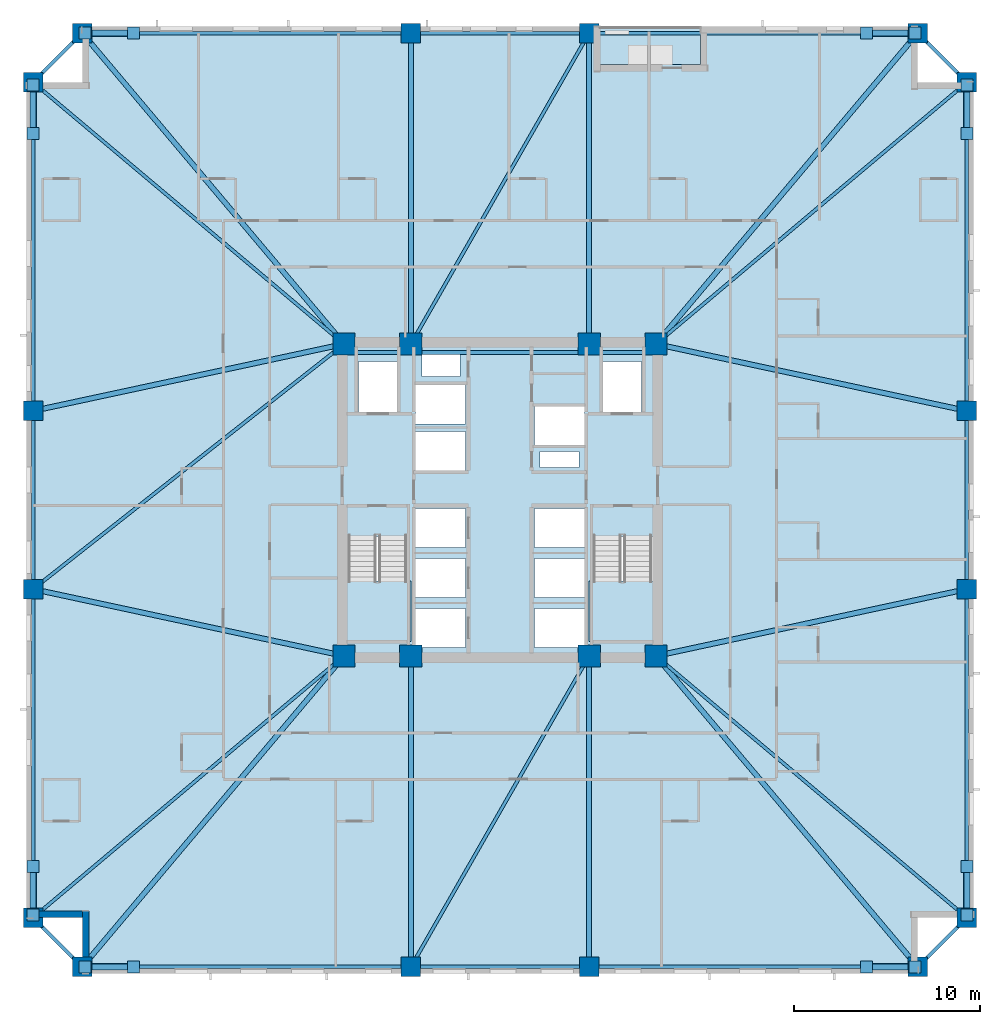
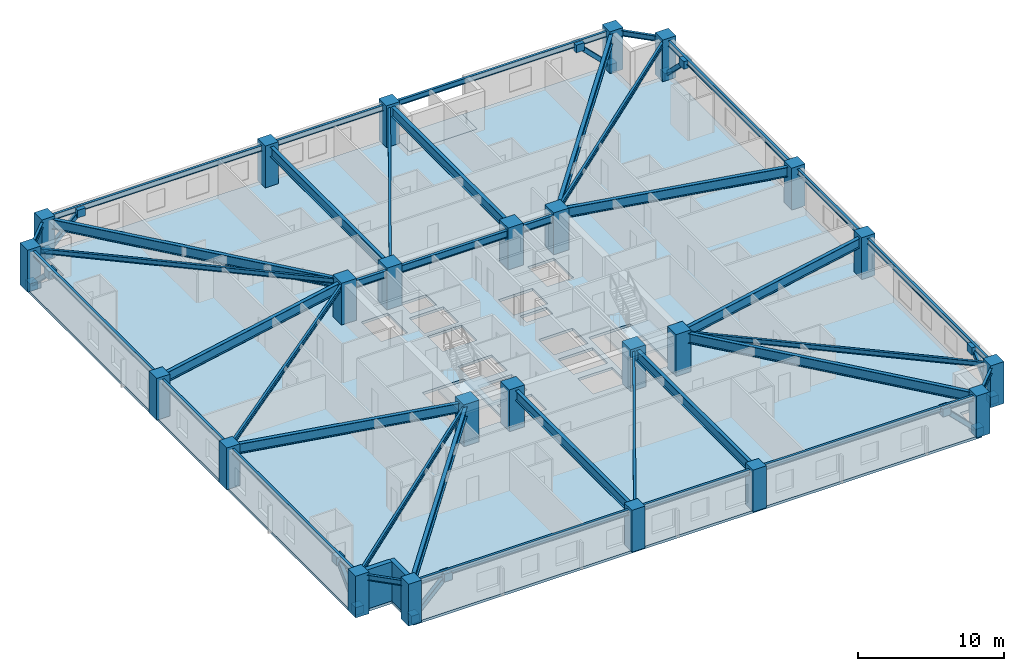
# One storey, part 1 of 11: 38 beams, 24 columns, 16 plates, 8 members, 4 slabs, 2 walls, 2 elements without a shape of their own.
"""IFC4 building model written with IfcOpenShell, lengths in metres."""

from ifc_helpers import new_model, si_unit, direction, frame, frame_2d, origin, origin_2d, place, context, subcontext, project, spatial, polyline, rectangle, hollow_rectangle, i_section, outline, extrude, material, layer, layer_set, material_profile, profile_set, type_object, element, aggregate, save


model = new_model("IFC4")

# Units and contexts
model_context = context("Model", 3, precision=1e-05, world=origin(), true_north=direction((0.0, 1.0)))
body_context = subcontext(model_context, "Body", "Model", "MODEL_VIEW")
ifc_project = project(units=[si_unit("LENGTHUNIT", "METRE"), si_unit("AREAUNIT", "SQUARE_METRE"), si_unit("VOLUMEUNIT", "CUBIC_METRE"), si_unit("PLANEANGLEUNIT", "RADIAN"), si_unit("MASSUNIT", "GRAM", prefix="KILO")], contexts=[model_context])

# Site, building, storey
site_placement = place(None, origin())
site = spatial("IfcSite", under=ifc_project, at=site_placement, CompositionType="ELEMENT")
building_placement = place(site_placement, origin())
building = spatial("IfcBuilding", under=site, at=building_placement, Name="Cairnveth Concourse Tower", CompositionType="ELEMENT")
storey_placement = place(building_placement, frame((0.0, 0.0, 86.5)))
storey = spatial("IfcBuildingStorey", under=building, at=storey_placement, Name="L23", CompositionType="ELEMENT", Elevation=86.5)

# Columns
ifc_material_1 = material(Name="Concrete N80 (80 MPa)", Category="concrete")
ifc_material_profile_1 = material_profile(ifc_material_1, rectangle(XDim=1.199951171875, YDim=1.199951171875, at=origin_2d()), Name="RC-COL-1200x1200")
ifc_profile_set_1 = profile_set([ifc_material_profile_1], Name="Concrete N80 (80 MPa)")
column_type_1 = type_object("IfcColumnType", Name="CORE COLUMN 1200X1200", PredefinedType="COLUMN", material=ifc_profile_set_1)
for number, where, z_axis, x_axis, name in (
    (1, (43.60009765625, 30.60009765625, 0.0), (0.0, 0.0, 1.0), (1.0, 0.0, 0.0), "Column CC1 L23"),
    (2, (47.199951171875, 30.60009765625, 0.0), (0.0, 0.0, 1.0), (1.0, 0.0, 0.0), "Column CC2 L23"),
    (3, (56.800048828125, 30.60009765625, 0.0), (0.0, 0.0, 1.0), (1.0, 0.0, 0.0), "Column CC3 L23"),
    (4, (60.39990234375, 30.60009765625, 0.0), (0.0, 0.0, 1.0), (1.0, 0.0, 0.0), "Column CC4 L23"),
    (5, (43.60009765625, 47.39990234375, 0.0), (0.0, 0.0, 1.0), (1.0, 0.0, 0.0), "Column CC5 L23"),
    (6, (47.199951171875, 47.39990234375, 0.0), (0.0, 0.0, 1.0), (1.0, 0.0, 0.0), "Column CC6 L23"),
    (7, (56.800048828125, 47.39990234375, 0.0), (0.0, 0.0, 1.0), (1.0, 0.0, 0.0), "Column CC7 L23"),
    (8, (60.39990234375, 47.39990234375, 0.0), (0.0, 0.0, 1.0), (1.0, 0.0, 0.0), "Column CC8 L23"),
):
    element("IfcColumn", number, at=place(storey_placement, frame(where, z_axis=z_axis, x_axis=x_axis)), inside=storey, type_object=column_type_1, Name=name, PredefinedType="COLUMN", context=body_context, shape_type="SweptSolid", body=[
        extrude(rectangle(XDim=1.199951171875, YDim=1.199951171875, at=origin_2d()), origin(), (0.0, 0.0, 1.0), 3.5),
    ])
ifc_material_2 = material(Name="Concrete N65 (65 MPa)", Category="concrete")
ifc_material_profile_2 = material_profile(ifc_material_2, rectangle(XDim=1.050048828125, YDim=1.050048828125, at=origin_2d()), Name="RC-COL-1050x1050")
ifc_profile_set_2 = profile_set([ifc_material_profile_2], Name="Concrete N65 (65 MPa)")
column_type_2 = type_object("IfcColumnType", Name="PERIMETER PIER COLUMN 1050X1050", PredefinedType="COLUMN", material=ifc_profile_set_2)
for number, where, z_axis, x_axis, name in (
    (9, (29.5, 13.85009765625, 0.0), (0.0, 0.0, 1.0), (1.0, 0.0, 0.0), "Column P-S1 L23"),
    (10, (47.199951171875, 13.85009765625, 0.0), (0.0, 0.0, 1.0), (1.0, 0.0, 0.0), "Column P-S2 L23"),
    (11, (56.800048828125, 13.85009765625, 0.0), (0.0, 0.0, 1.0), (1.0, 0.0, 0.0), "Column P-S3 L23"),
    (12, (74.5, 13.85009765625, 0.0), (0.0, 0.0, 1.0), (1.0, 0.0, 0.0), "Column P-S4 L23"),
    (13, (77.14990234375, 16.5, 0.0), (0.0, 0.0, 1.0), (0.0, 1.0, 0.0), "Column P-E1 L23"),
    (14, (77.14990234375, 34.199951171875, 0.0), (0.0, 0.0, 1.0), (0.0, 1.0, 0.0), "Column P-E2 L23"),
    (15, (77.14990234375, 43.800048828125, 0.0), (0.0, 0.0, 1.0), (0.0, 1.0, 0.0), "Column P-E3 L23"),
    (16, (77.14990234375, 61.5, 0.0), (0.0, 0.0, 1.0), (0.0, 1.0, 0.0), "Column P-E4 L23"),
    (17, (74.5, 64.14990234375, 0.0), (0.0, 0.0, 1.0), (1.0, 0.0, 0.0), "Column P-N1 L23"),
    (18, (56.800048828125, 64.14990234375, 0.0), (0.0, 0.0, 1.0), (1.0, 0.0, 0.0), "Column P-N2 L23"),
    (19, (47.199951171875, 64.14990234375, 0.0), (0.0, 0.0, 1.0), (1.0, 0.0, 0.0), "Column P-N3 L23"),
    (20, (29.5, 64.14990234375, 0.0), (0.0, 0.0, 1.0), (1.0, 0.0, 0.0), "Column P-N4 L23"),
    (21, (26.85009765625, 61.5, 0.0), (0.0, 0.0, 1.0), (0.0, 1.0, 0.0), "Column P-W1 L23"),
    (22, (26.85009765625, 43.800048828125, 0.0), (0.0, 0.0, 1.0), (0.0, 1.0, 0.0), "Column P-W2 L23"),
    (23, (26.85009765625, 34.199951171875, 0.0), (0.0, 0.0, 1.0), (0.0, 1.0, 0.0), "Column P-W3 L23"),
    (24, (26.85009765625, 16.5, 0.0), (0.0, 0.0, 1.0), (0.0, 1.0, 0.0), "Column P-W4 L23"),
):
    element("IfcColumn", number, at=place(storey_placement, frame(where, z_axis=z_axis, x_axis=x_axis)), inside=storey, type_object=column_type_2, Name=name, PredefinedType="COLUMN", context=body_context, shape_type="SweptSolid", body=[
        extrude(rectangle(XDim=1.050048828125, YDim=1.050048828125, at=origin_2d()), origin(), (0.0, 0.0, 1.0), 3.5),
    ])

# Beams
ifc_material_3 = material(Name="Steel Grade 350", Category="steel")
ifc_material_profile_3 = material_profile(ifc_material_3, i_section(OverallWidth=0.22802734375, OverallDepth=0.60693359375, WebThickness=0.01123046875, FlangeThickness=0.017333984375, FilletRadius=0.013916015625, at=origin_2d()), Name="610UB113")
ifc_profile_set_3 = profile_set([ifc_material_profile_3], Name="Steel Grade 350")
beam_type_1 = type_object("IfcBeamType", Name="CORE TIE BEAM 610UB113", PredefinedType="T_BEAM", material=ifc_profile_set_3)
for number, where, z_axis, x_axis, name in (
    (25, (43.60009765625, 46.949951171875, 2.9765625), (1.0, 0.0, 0.0), (0.0, 1.0, 0.0), "Beam CT-N1 L23"),
    (26, (56.800048828125, 46.949951171875, 2.9765625), (1.0, 0.0, 0.0), (0.0, 1.0, 0.0), "Beam CT-N3 L23"),
):
    element("IfcBeam", number, at=place(storey_placement, frame(where, z_axis=z_axis, x_axis=x_axis)), inside=storey, type_object=beam_type_1, Name=name, PredefinedType="T_BEAM", context=body_context, shape_type="SweptSolid", body=[
        extrude(i_section(OverallWidth=0.22802734375, OverallDepth=0.60693359375, WebThickness=0.01123046875, FlangeThickness=0.017333984375, FilletRadius=0.013916015625, at=origin_2d()), origin(), (0.0, 0.0, 1.0), 3.599853515625),
    ])
beam_1_placement = place(storey_placement, frame((47.199951171875, 46.949951171875, 2.9765625), z_axis=(1.0, 0.0, 0.0), x_axis=(0.0, 1.0, 0.0)))
element("IfcBeam", 27, at=beam_1_placement, inside=storey, type_object=beam_type_1, Name="Beam CT-N2 L23", PredefinedType="T_BEAM", context=body_context, shape_type="SweptSolid", body=[
    extrude(i_section(OverallWidth=0.22802734375, OverallDepth=0.60693359375, WebThickness=0.01123046875, FlangeThickness=0.017333984375, FilletRadius=0.013916015625, at=origin_2d()), origin(), (0.0, 0.0, 1.0), 9.60009765625),
])
ifc_material_profile_4 = material_profile(ifc_material_3, i_section(OverallWidth=0.177978515625, OverallDepth=0.406005859375, WebThickness=0.0078125, FlangeThickness=0.0126953125, FilletRadius=0.010986328125, at=origin_2d()), Name="410UB59.7")
ifc_profile_set_4 = profile_set([ifc_material_profile_4], Name="Steel Grade 350")
beam_type_2 = type_object("IfcBeamType", Name="ZONE 1 FLOOR JOIST 410UB59.7", PredefinedType="JOIST", material=ifc_profile_set_4)
for number, where, z_axis, x_axis, name in (
    (28, (26.85009765625, 16.5, 3.076904296875), (0.765027427674, 0.643997697905, 0.0), (-0.643997697905, 0.765027427674, 0.0), "Beam FJ-CSW2 L23"),
    (29, (77.14990234375, 16.5, 3.076904296875), (-0.765027427674, 0.643997697905, 0.0), (-0.643997697905, -0.765027427674, 0.0), "Beam FJ-CSE2 L23"),
    (30, (77.14990234375, 61.5, 3.076904296875), (-0.765027427674, -0.643997697905, 0.0), (0.643997697905, -0.765027427674, 0.0), "Beam FJ-CNE2 L23"),
    (31, (26.85009765625, 61.5, 3.076904296875), (0.765027427674, -0.643997697905, 0.0), (0.643997697905, 0.765027427674, 0.0), "Beam FJ-CNW2 L23"),
):
    element("IfcBeam", number, at=place(storey_placement, frame(where, z_axis=z_axis, x_axis=x_axis)), inside=storey, type_object=beam_type_2, Name=name, PredefinedType="JOIST", context=body_context, shape_type="SweptSolid", body=[
        extrude(i_section(OverallWidth=0.177978515625, OverallDepth=0.406005859375, WebThickness=0.0078125, FlangeThickness=0.0126953125, FilletRadius=0.010986328125, at=origin_2d()), origin(), (0.0, 0.0, 1.0), 21.89453125),
    ])
for number, where, z_axis, x_axis, name in (
    (32, (47.199951171875, 13.85009765625, 3.076904296875), (0.497257970706, 0.86760273776, 0.0), (-0.86760273776, 0.497257970706, 0.0), "Beam FJ-S-M1 L23"),
    (33, (47.199951171875, 47.39990234375, 3.076904296875), (0.497257970706, 0.86760273776, 0.0), (-0.86760273776, 0.497257970706, 0.0), "Beam FJ-N-M1 L23"),
):
    element("IfcBeam", number, at=place(storey_placement, frame(where, z_axis=z_axis, x_axis=x_axis)), inside=storey, type_object=beam_type_2, Name=name, PredefinedType="JOIST", context=body_context, shape_type="SweptSolid", body=[
        extrude(i_section(OverallWidth=0.177978515625, OverallDepth=0.406005859375, WebThickness=0.0078125, FlangeThickness=0.0126953125, FilletRadius=0.010986328125, at=origin_2d()), origin(), (0.0, 0.0, 1.0), 19.30615234375),
    ])
beam_2_placement = place(storey_placement, frame((26.85009765625, 34.199951171875, 3.076904296875), z_axis=(0.785423705995, 0.618958481694, 0.0), x_axis=(-0.618958481694, 0.785423705995, 0.0)))
element("IfcBeam", 34, at=beam_2_placement, inside=storey, type_object=beam_type_2, Name="Beam FJ-W-M1 L23", PredefinedType="JOIST", context=body_context, shape_type="SweptSolid", body=[
    extrude(i_section(OverallWidth=0.177978515625, OverallDepth=0.406005859375, WebThickness=0.0078125, FlangeThickness=0.0126953125, FilletRadius=0.010986328125, at=origin_2d()), origin(), (0.0, 0.0, 1.0), 21.326171875),
])

# Members
ifc_material_4 = material(Name="Steel C350L0 (350 MPa)", Category="steel")
ifc_material_profile_5 = material_profile(ifc_material_4, hollow_rectangle(XDim=0.35009765625, YDim=0.35009765625, WallThickness=0.01611328125, InnerFilletRadius=0.01611328125, OuterFilletRadius=0.031982421875, at=origin_2d()), Name="350x350x16.0SHS")
ifc_profile_set_5 = profile_set([ifc_material_profile_5], Name="Steel C350L0 (350 MPa)")
member_type = type_object("IfcMemberType", Name="ZONE 1 PIER BRACE 350X350X16SHS", PredefinedType="BRACE", material=ifc_profile_set_5)
for number, where, z_axis, x_axis, name in (
    (35, (29.64990234375, 13.85009765625, 0.25), (0.709834195787, 0.0, 0.704368805735), (0.0, 1.0, 0.0), "Structural Brace PB-S1 L23"),
    (36, (74.35009765625, 13.85009765625, 0.25), (-0.709834195787, 0.0, 0.704368805735), (0.0, -1.0, 0.0), "Structural Brace PB-S2 L23"),
    (37, (29.64990234375, 64.14990234375, 0.25), (0.709834195787, 0.0, 0.704368805735), (0.0, 1.0, 0.0), "Structural Brace PB-N1 L23"),
    (38, (74.35009765625, 64.14990234375, 0.25), (-0.709834195787, 0.0, 0.704368805735), (0.0, -1.0, 0.0), "Structural Brace PB-N2 L23"),
    (39, (26.85009765625, 16.64990234375, 0.25), (0.0, 0.709834195787, 0.704368805735), (-1.0, 0.0, 0.0), "Structural Brace PB-W1 L23"),
    (40, (26.85009765625, 61.35009765625, 0.25), (0.0, -0.709834195787, 0.704368805735), (1.0, 0.0, 0.0), "Structural Brace PB-W2 L23"),
    (41, (77.14990234375, 16.64990234375, 0.25), (0.0, 0.709834195787, 0.704368805735), (-1.0, 0.0, 0.0), "Structural Brace PB-E1 L23"),
    (42, (77.14990234375, 61.35009765625, 0.25), (0.0, -0.709834195787, 0.704368805735), (1.0, 0.0, 0.0), "Structural Brace PB-E2 L23"),
):
    element("IfcMember", number, at=place(storey_placement, frame(where, z_axis=z_axis, x_axis=x_axis)), inside=storey, type_object=member_type, Name=name, PredefinedType="BRACE", context=body_context, shape_type="SweptSolid", body=[
        extrude(hollow_rectangle(XDim=0.35009765625, YDim=0.35009765625, WallThickness=0.01611328125, InnerFilletRadius=0.01611328125, OuterFilletRadius=0.031982421875, at=origin_2d()), origin(), (0.0, 0.0, 1.0), 3.6630859375),
    ])

# Beams
ifc_material_profile_6 = material_profile(ifc_material_3, i_section(OverallWidth=0.27490234375, OverallDepth=0.81591796875, WebThickness=0.011962890625, FlangeThickness=0.028076171875, at=origin_2d()), Name="800WB192")
ifc_profile_set_6 = profile_set([ifc_material_profile_6], Name="Steel Grade 350")
beam_type_3 = type_object("IfcBeamType", Name="ZONE 1 RADIAL GIRDER 800WB192", PredefinedType="BEAM", material=ifc_profile_set_6)
for number, where, z_axis, x_axis, name in (
    (43, (47.199951171875, 13.85009765625, 2.8720703125), (0.0, 1.0, 0.0), (-1.0, 0.0, 0.0), "Beam RG-S1 L23"),
    (44, (56.800048828125, 13.85009765625, 2.8720703125), (0.0, 1.0, 0.0), (-1.0, 0.0, 0.0), "Beam RG-S2 L23"),
    (45, (47.199951171875, 47.39990234375, 2.8720703125), (0.0, 1.0, 0.0), (-1.0, 0.0, 0.0), "Beam RG-N1 L23"),
    (46, (56.800048828125, 47.39990234375, 2.8720703125), (0.0, 1.0, 0.0), (-1.0, 0.0, 0.0), "Beam RG-N2 L23"),
):
    element("IfcBeam", number, at=place(storey_placement, frame(where, z_axis=z_axis, x_axis=x_axis)), inside=storey, type_object=beam_type_3, Name=name, PredefinedType="BEAM", context=body_context, shape_type="SweptSolid", body=[
        extrude(i_section(OverallWidth=0.27490234375, OverallDepth=0.81591796875, WebThickness=0.011962890625, FlangeThickness=0.028076171875, at=origin_2d()), origin(), (0.0, 0.0, 1.0), 16.75),
    ])
for number, where, z_axis, x_axis, name in (
    (47, (26.85009765625, 34.199951171875, 2.8720703125), (0.977675861524, -0.210118799239, 0.0), (0.210118799239, 0.977675861524, 0.0), "Beam RG-W1 L23"),
    (48, (26.85009765625, 43.800048828125, 2.8720703125), (0.977675861524, 0.210118799239, 0.0), (-0.210118799239, 0.977675861524, 0.0), "Beam RG-W2 L23"),
    (49, (60.39990234375, 30.60009765625, 2.8720703125), (0.977675861524, 0.210118799239, 0.0), (-0.210118799239, 0.977675861524, 0.0), "Beam RG-E1 L23"),
    (50, (60.39990234375, 47.39990234375, 2.8720703125), (0.977675861524, -0.210118799239, 0.0), (0.210118799239, 0.977675861524, 0.0), "Beam RG-E2 L23"),
):
    element("IfcBeam", number, at=place(storey_placement, frame(where, z_axis=z_axis, x_axis=x_axis)), inside=storey, type_object=beam_type_3, Name=name, PredefinedType="BEAM", context=body_context, shape_type="SweptSolid", body=[
        extrude(i_section(OverallWidth=0.27490234375, OverallDepth=0.81591796875, WebThickness=0.011962890625, FlangeThickness=0.028076171875, at=origin_2d()), origin(), (0.0, 0.0, 1.0), 17.132568359375),
    ])
for number, where, z_axis, x_axis, name in (
    (51, (29.5, 13.85009765625, 2.8720703125), (0.643997697905, 0.765027427674, 0.0), (-0.765027427674, 0.643997697905, 0.0), "Beam RG-CSW L23"),
    (52, (74.5, 13.85009765625, 2.8720703125), (-0.643997697905, 0.765027427674, 0.0), (-0.765027427674, -0.643997697905, 0.0), "Beam RG-CSE L23"),
    (53, (74.5, 64.14990234375, 2.8720703125), (-0.643997697905, -0.765027427674, 0.0), (0.765027427674, -0.643997697905, 0.0), "Beam RG-CNE L23"),
    (54, (29.5, 64.14990234375, 2.8720703125), (0.643997697905, -0.765027427674, 0.0), (0.765027427674, 0.643997697905, 0.0), "Beam RG-CNW L23"),
):
    element("IfcBeam", number, at=place(storey_placement, frame(where, z_axis=z_axis, x_axis=x_axis)), inside=storey, type_object=beam_type_3, Name=name, PredefinedType="BEAM", context=body_context, shape_type="SweptSolid", body=[
        extrude(i_section(OverallWidth=0.27490234375, OverallDepth=0.81591796875, WebThickness=0.011962890625, FlangeThickness=0.028076171875, at=origin_2d()), origin(), (0.0, 0.0, 1.0), 21.89453125),
    ])
ifc_material_profile_7 = material_profile(ifc_material_3, i_section(OverallWidth=0.19091796875, OverallDepth=0.4599609375, WebThickness=0.010009765625, FlangeThickness=0.01611328125, FilletRadius=0.010986328125, at=origin_2d()), Name="460UB82.1")
ifc_profile_set_7 = profile_set([ifc_material_profile_7], Name="Steel Grade 350")
beam_type_4 = type_object("IfcBeamType", Name="ZONE 1 SPANDREL BEAM 460UB82.1", PredefinedType="SPANDREL", material=ifc_profile_set_7)
beam_3_placement = place(storey_placement, frame((29.5, 13.85009765625, 3.050048828125), z_axis=(1.0, 0.0, 0.0), x_axis=(0.0, 1.0, 0.0)))
element("IfcBeam", 55, at=beam_3_placement, inside=storey, type_object=beam_type_4, Name="Beam SP-S1 L23", PredefinedType="SPANDREL", context=body_context, shape_type="SweptSolid", body=[
    extrude(i_section(OverallWidth=0.19091796875, OverallDepth=0.4599609375, WebThickness=0.010009765625, FlangeThickness=0.01611328125, FilletRadius=0.010986328125, at=origin_2d()), origin(), (0.0, 0.0, 1.0), 17.699951171875),
])
beam_4_placement = place(storey_placement, frame((47.199951171875, 13.85009765625, 3.050048828125), z_axis=(1.0, 0.0, 0.0), x_axis=(0.0, 1.0, 0.0)))
element("IfcBeam", 56, at=beam_4_placement, inside=storey, type_object=beam_type_4, Name="Beam SP-S2 L23", PredefinedType="SPANDREL", context=body_context, shape_type="SweptSolid", body=[
    extrude(i_section(OverallWidth=0.19091796875, OverallDepth=0.4599609375, WebThickness=0.010009765625, FlangeThickness=0.01611328125, FilletRadius=0.010986328125, at=origin_2d()), origin(), (0.0, 0.0, 1.0), 9.60009765625),
])
for number, where, z_axis, x_axis, name in (
    (57, (56.800048828125, 13.85009765625, 3.050048828125), (1.0, 0.0, 0.0), (0.0, 1.0, 0.0), "Beam SP-S3 L23"),
    (58, (29.5, 64.14990234375, 3.050048828125), (1.0, 0.0, 0.0), (0.0, 1.0, 0.0), "Beam SP-N1 L23"),
):
    element("IfcBeam", number, at=place(storey_placement, frame(where, z_axis=z_axis, x_axis=x_axis)), inside=storey, type_object=beam_type_4, Name=name, PredefinedType="SPANDREL", context=body_context, shape_type="SweptSolid", body=[
        extrude(i_section(OverallWidth=0.19091796875, OverallDepth=0.4599609375, WebThickness=0.010009765625, FlangeThickness=0.01611328125, FilletRadius=0.010986328125, at=origin_2d()), origin(), (0.0, 0.0, 1.0), 17.699951171875),
    ])
beam_5_placement = place(storey_placement, frame((47.199951171875, 64.14990234375, 3.050048828125), z_axis=(1.0, 0.0, 0.0), x_axis=(0.0, 1.0, 0.0)))
element("IfcBeam", 59, at=beam_5_placement, inside=storey, type_object=beam_type_4, Name="Beam SP-N2 L23", PredefinedType="SPANDREL", context=body_context, shape_type="SweptSolid", body=[
    extrude(i_section(OverallWidth=0.19091796875, OverallDepth=0.4599609375, WebThickness=0.010009765625, FlangeThickness=0.01611328125, FilletRadius=0.010986328125, at=origin_2d()), origin(), (0.0, 0.0, 1.0), 9.60009765625),
])
for number, where, z_axis, x_axis, name in (
    (60, (56.800048828125, 64.14990234375, 3.050048828125), (1.0, 0.0, 0.0), (0.0, 1.0, 0.0), "Beam SP-N3 L23"),
    (61, (26.85009765625, 16.5, 3.050048828125), (0.0, 1.0, 0.0), (-1.0, 0.0, 0.0), "Beam SP-W1 L23"),
):
    element("IfcBeam", number, at=place(storey_placement, frame(where, z_axis=z_axis, x_axis=x_axis)), inside=storey, type_object=beam_type_4, Name=name, PredefinedType="SPANDREL", context=body_context, shape_type="SweptSolid", body=[
        extrude(i_section(OverallWidth=0.19091796875, OverallDepth=0.4599609375, WebThickness=0.010009765625, FlangeThickness=0.01611328125, FilletRadius=0.010986328125, at=origin_2d()), origin(), (0.0, 0.0, 1.0), 17.699951171875),
    ])
beam_6_placement = place(storey_placement, frame((26.85009765625, 34.199951171875, 3.050048828125), z_axis=(0.0, 1.0, 0.0), x_axis=(-1.0, 0.0, 0.0)))
element("IfcBeam", 62, at=beam_6_placement, inside=storey, type_object=beam_type_4, Name="Beam SP-W2 L23", PredefinedType="SPANDREL", context=body_context, shape_type="SweptSolid", body=[
    extrude(i_section(OverallWidth=0.19091796875, OverallDepth=0.4599609375, WebThickness=0.010009765625, FlangeThickness=0.01611328125, FilletRadius=0.010986328125, at=origin_2d()), origin(), (0.0, 0.0, 1.0), 9.60009765625),
])
for number, where, z_axis, x_axis, name in (
    (63, (26.85009765625, 43.800048828125, 3.050048828125), (0.0, 1.0, 0.0), (-1.0, 0.0, 0.0), "Beam SP-W3 L23"),
    (64, (77.14990234375, 16.5, 3.050048828125), (0.0, 1.0, 0.0), (-1.0, 0.0, 0.0), "Beam SP-E1 L23"),
):
    element("IfcBeam", number, at=place(storey_placement, frame(where, z_axis=z_axis, x_axis=x_axis)), inside=storey, type_object=beam_type_4, Name=name, PredefinedType="SPANDREL", context=body_context, shape_type="SweptSolid", body=[
        extrude(i_section(OverallWidth=0.19091796875, OverallDepth=0.4599609375, WebThickness=0.010009765625, FlangeThickness=0.01611328125, FilletRadius=0.010986328125, at=origin_2d()), origin(), (0.0, 0.0, 1.0), 17.699951171875),
    ])
beam_7_placement = place(storey_placement, frame((77.14990234375, 34.199951171875, 3.050048828125), z_axis=(0.0, 1.0, 0.0), x_axis=(-1.0, 0.0, 0.0)))
element("IfcBeam", 65, at=beam_7_placement, inside=storey, type_object=beam_type_4, Name="Beam SP-E2 L23", PredefinedType="SPANDREL", context=body_context, shape_type="SweptSolid", body=[
    extrude(i_section(OverallWidth=0.19091796875, OverallDepth=0.4599609375, WebThickness=0.010009765625, FlangeThickness=0.01611328125, FilletRadius=0.010986328125, at=origin_2d()), origin(), (0.0, 0.0, 1.0), 9.60009765625),
])
beam_8_placement = place(storey_placement, frame((77.14990234375, 43.800048828125, 3.050048828125), z_axis=(0.0, 1.0, 0.0), x_axis=(-1.0, 0.0, 0.0)))
element("IfcBeam", 66, at=beam_8_placement, inside=storey, type_object=beam_type_4, Name="Beam SP-E3 L23", PredefinedType="SPANDREL", context=body_context, shape_type="SweptSolid", body=[
    extrude(i_section(OverallWidth=0.19091796875, OverallDepth=0.4599609375, WebThickness=0.010009765625, FlangeThickness=0.01611328125, FilletRadius=0.010986328125, at=origin_2d()), origin(), (0.0, 0.0, 1.0), 17.699951171875),
])
for number, where, z_axis, x_axis, name in (
    (67, (26.85009765625, 16.5, 3.050048828125), (0.707106781187, -0.707106781187, 0.0), (0.707106781187, 0.707106781187, 0.0), "Beam SP-SW L23"),
    (68, (74.5, 13.85009765625, 3.050048828125), (0.707106781187, 0.707106781187, 0.0), (-0.707106781187, 0.707106781187, 0.0), "Beam SP-SE L23"),
    (69, (74.5, 64.14990234375, 3.050048828125), (0.707106781187, -0.707106781187, 0.0), (0.707106781187, 0.707106781187, 0.0), "Beam SP-NE L23"),
    (70, (26.85009765625, 61.5, 3.050048828125), (0.707106781187, 0.707106781187, 0.0), (-0.707106781187, 0.707106781187, 0.0), "Beam SP-NW L23"),
):
    element("IfcBeam", number, at=place(storey_placement, frame(where, z_axis=z_axis, x_axis=x_axis)), inside=storey, type_object=beam_type_4, Name=name, PredefinedType="SPANDREL", context=body_context, shape_type="SweptSolid", body=[
        extrude(i_section(OverallWidth=0.19091796875, OverallDepth=0.4599609375, WebThickness=0.010009765625, FlangeThickness=0.01611328125, FilletRadius=0.010986328125, at=origin_2d()), origin(), (0.0, 0.0, 1.0), 3.74755859375),
    ])

# Slab
ifc_material_5 = material(Name="Concrete N50 (50 MPa)", Category="concrete")
ifc_layer_1 = layer(ifc_material_5, 0.219970703125)
ifc_layer_set_1 = layer_set([ifc_layer_1], Name="Concrete N50 (50 MPa)")
slab_type_1 = type_object("IfcSlabType", Name="LOWER TOWER COMPOSITE SLAB 220", PredefinedType="FLOOR", material=ifc_layer_set_1)
slab_1_placement = place(storey_placement, frame((0.0, 0.0, -0.219970703125)))
element("IfcSlab", 71, at=slab_1_placement, inside=storey, type_object=slab_type_1, Name="Tower Floor Slab L23", PredefinedType="FLOOR", context=body_context, shape_type="SweptSolid", body=[
    extrude(outline(polyline([(62.800048828125, 64.5), (62.800048828125, 62.449951171875), (57.39990234375, 62.449951171875), (57.39990234375, 64.5), (29.5, 64.5), (29.5, 61.5), (26.5, 61.5), (26.5, 16.5), (29.5, 16.5), (29.5, 13.5), (74.5, 13.5), (74.5, 16.5), (77.5, 16.5), (77.5, 61.5), (74.5, 61.5), (74.5, 64.5), (62.800048828125, 64.5)]), holes=[polyline([(43.760009765625, 31.360107421875), (47.06005859375, 31.360107421875), (47.06005859375, 37.0400390625), (43.760009765625, 37.0400390625), (43.760009765625, 31.360107421875)]), polyline([(56.93994140625, 31.360107421875), (60.239990234375, 31.360107421875), (60.239990234375, 37.0400390625), (56.93994140625, 37.0400390625), (56.93994140625, 31.360107421875)]), polyline([(44.3701171875, 43.75), (46.469970703125, 43.75), (46.469970703125, 46.449951171875), (44.3701171875, 46.449951171875), (44.3701171875, 43.75)]), polyline([(57.530029296875, 43.75), (59.6298828125, 43.75), (59.6298828125, 46.449951171875), (57.530029296875, 46.449951171875), (57.530029296875, 43.75)]), polyline([(47.449951171875, 31.050048828125), (50.14990234375, 31.050048828125), (50.14990234375, 33.14990234375), (47.449951171875, 33.14990234375), (47.449951171875, 31.050048828125)]), polyline([(47.449951171875, 33.75), (50.14990234375, 33.75), (50.14990234375, 35.85009765625), (47.449951171875, 35.85009765625), (47.449951171875, 33.75)]), polyline([(47.449951171875, 36.449951171875), (50.14990234375, 36.449951171875), (50.14990234375, 38.550048828125), (47.449951171875, 38.550048828125), (47.449951171875, 36.449951171875)]), polyline([(53.85009765625, 31.050048828125), (56.550048828125, 31.050048828125), (56.550048828125, 33.14990234375), (53.85009765625, 33.14990234375), (53.85009765625, 31.050048828125)]), polyline([(53.85009765625, 33.75), (56.550048828125, 33.75), (56.550048828125, 35.85009765625), (53.85009765625, 35.85009765625), (53.85009765625, 33.75)]), polyline([(53.85009765625, 36.449951171875), (56.550048828125, 36.449951171875), (56.550048828125, 38.550048828125), (53.85009765625, 38.550048828125), (53.85009765625, 36.449951171875)]), polyline([(47.449951171875, 40.60009765625), (50.14990234375, 40.60009765625), (50.14990234375, 42.699951171875), (47.449951171875, 42.699951171875), (47.449951171875, 40.60009765625)]), polyline([(47.449951171875, 43.10009765625), (50.14990234375, 43.10009765625), (50.14990234375, 45.199951171875), (47.449951171875, 45.199951171875), (47.449951171875, 43.10009765625)]), polyline([(53.85009765625, 41.949951171875), (56.550048828125, 41.949951171875), (56.550048828125, 44.050048828125), (53.85009765625, 44.050048828125), (53.85009765625, 41.949951171875)]), polyline([(47.800048828125, 45.64990234375), (49.85009765625, 45.64990234375), (49.85009765625, 47.050048828125), (47.800048828125, 47.050048828125), (47.800048828125, 45.64990234375)]), polyline([(54.14990234375, 40.75), (56.25, 40.75), (56.25, 41.6201171875), (54.14990234375, 41.6201171875), (54.14990234375, 40.75)])]), origin(), (0.0, 0.0, 1.0), 0.219970703125),
])

# Plates
ifc_layer_2 = layer(ifc_material_3, 0.031982421875)
ifc_layer_set_2 = layer_set([ifc_layer_2], Name="Steel Grade 350")
plate_type = type_object("IfcPlateType", Name="PERIMETER BRACE GUSSET PLATE 32", PredefinedType="USERDEFINED", material=ifc_layer_set_2)
for number, where, z_axis, x_axis, name in (
    (72, (29.64990234375, 13.85009765625, -0.06982421875), (0.0, 0.0, 1.0), (1.0, 0.0, 0.0), "Structural Node Plate 0349 L23"),
    (73, (32.25, 13.85009765625, 2.51025390625), (0.0, 0.0, 1.0), (1.0, 0.0, 0.0), "Structural Node Plate 0350 L23"),
    (74, (74.35009765625, 13.85009765625, -0.06982421875), (0.0, 0.0, 1.0), (1.0, 0.0, 0.0), "Structural Node Plate 0351 L23"),
    (75, (71.75, 13.85009765625, 2.51025390625), (0.0, 0.0, 1.0), (1.0, 0.0, 0.0), "Structural Node Plate 0352 L23"),
    (76, (29.64990234375, 64.14990234375, -0.06982421875), (0.0, 0.0, 1.0), (1.0, 0.0, 0.0), "Structural Node Plate 0353 L23"),
    (77, (32.25, 64.14990234375, 2.51025390625), (0.0, 0.0, 1.0), (1.0, 0.0, 0.0), "Structural Node Plate 0354 L23"),
    (78, (74.35009765625, 64.14990234375, -0.06982421875), (0.0, 0.0, 1.0), (1.0, 0.0, 0.0), "Structural Node Plate 0355 L23"),
    (79, (71.75, 64.14990234375, 2.51025390625), (0.0, 0.0, 1.0), (1.0, 0.0, 0.0), "Structural Node Plate 0356 L23"),
    (80, (26.85009765625, 16.64990234375, -0.06982421875), (0.0, 0.0, 1.0), (1.0, 0.0, 0.0), "Structural Node Plate 0357 L23"),
    (81, (26.85009765625, 19.25, 2.51025390625), (0.0, 0.0, 1.0), (1.0, 0.0, 0.0), "Structural Node Plate 0358 L23"),
    (82, (26.85009765625, 61.35009765625, -0.06982421875), (0.0, 0.0, 1.0), (1.0, 0.0, 0.0), "Structural Node Plate 0359 L23"),
    (83, (26.85009765625, 58.75, 2.51025390625), (0.0, 0.0, 1.0), (1.0, 0.0, 0.0), "Structural Node Plate 0360 L23"),
    (84, (77.14990234375, 16.64990234375, -0.06982421875), (0.0, 0.0, 1.0), (1.0, 0.0, 0.0), "Structural Node Plate 0361 L23"),
    (85, (77.14990234375, 19.25, 2.51025390625), (0.0, 0.0, 1.0), (1.0, 0.0, 0.0), "Structural Node Plate 0362 L23"),
    (86, (77.14990234375, 61.35009765625, -0.06982421875), (0.0, 0.0, 1.0), (1.0, 0.0, 0.0), "Structural Node Plate 0363 L23"),
    (87, (77.14990234375, 58.75, 2.51025390625), (0.0, 0.0, 1.0), (1.0, 0.0, 0.0), "Structural Node Plate 0364 L23"),
):
    element("IfcPlate", number, at=place(storey_placement, frame(where, z_axis=z_axis, x_axis=x_axis)), inside=storey, type_object=plate_type, Name=name, ObjectType="GUSSET PLATE", PredefinedType="USERDEFINED", context=body_context, shape_type="SweptSolid", body=[
        extrude(rectangle(XDim=0.639892578125, YDim=0.639892578125, at=origin_2d()), origin(), (0.0, 0.0, 1.0), 0.639892578125),
    ])

# Slab
ifc_layer_3 = layer(ifc_material_5, 0.18994140625)
ifc_layer_set_3 = layer_set([ifc_layer_3], Name="Concrete N50 (50 MPa)")
slab_type_2 = type_object("IfcSlabType", Name="SPIRAL OUTDOOR TERRACE SLAB 190", PredefinedType="FLOOR", material=ifc_layer_set_3)
slab_2_placement = place(storey_placement, frame((0.0, 0.0, -0.18994140625)))
element("IfcSlab", 88, at=slab_2_placement, inside=storey, type_object=slab_type_2, Name="Spiral Terrace Slab L23", PredefinedType="FLOOR", context=body_context, shape_type="SweptSolid", body=[
    extrude(outline(polyline([(57.39990234375, 62.449951171875), (62.800048828125, 62.449951171875), (62.800048828125, 64.5), (57.39990234375, 64.5), (57.39990234375, 62.449951171875)])), origin(), (0.0, 0.0, 1.0), 0.18994140625),
])

# Stair, slab
ifc_material_6 = material(Name="Precast concrete N50 (50 MPa)", Category="concrete")
stair_type = type_object("IfcStairType", Name="CORE DOG-LEG FIRE STAIR 1500", PredefinedType="HALF_TURN_STAIR", material=ifc_material_6)
stair_1_placement = place(storey_placement, origin())
stair_1 = element("IfcStair", 89, at=stair_1_placement, inside=storey, type_object=stair_type, Name="L23 Fire-Isolated Stair ST-1", PredefinedType="HALF_TURN_STAIR")
ifc_layer_4 = layer(ifc_material_5, 0.199951171875)
ifc_layer_set_4 = layer_set([ifc_layer_4], Name="Concrete N50 (50 MPa)")
slab_type_3 = type_object("IfcSlabType", Name="STAIR HALF LANDING SLAB 200", PredefinedType="LANDING", material=ifc_layer_set_4)
slab_3_placement = place(storey_placement, frame((0.0, 0.0, 1.550048828125)))
slab_3 = element("IfcSlab", 90, at=slab_3_placement, type_object=slab_type_3, Name="ST-1 landing 1", PredefinedType="LANDING", context=body_context, shape_type="SweptSolid", body=[
    extrude(outline(polyline([(43.6201171875, 34.639892578125), (43.6201171875, 31.3701171875), (47.199951171875, 31.3701171875), (47.199951171875, 34.639892578125), (43.6201171875, 34.639892578125)])), origin(), (0.0, 0.0, 1.0), 0.199951171875),
])
aggregate(stair_1, [slab_3])

stair_2_placement = place(storey_placement, origin())
stair_2 = element("IfcStair", 91, at=stair_2_placement, inside=storey, type_object=stair_type, Name="L23 Fire-Isolated Stair ST-2", PredefinedType="HALF_TURN_STAIR")
slab_4_placement = place(storey_placement, frame((0.0, 0.0, 1.550048828125)))
slab_4 = element("IfcSlab", 92, at=slab_4_placement, type_object=slab_type_3, Name="ST-2 landing 1", PredefinedType="LANDING", context=body_context, shape_type="SweptSolid", body=[
    extrude(outline(polyline([(56.800048828125, 34.639892578125), (56.800048828125, 31.3701171875), (60.3798828125, 31.3701171875), (60.3798828125, 34.639892578125), (56.800048828125, 34.639892578125)])), origin(), (0.0, 0.0, 1.0), 0.199951171875),
])
aggregate(stair_2, [slab_4])

# Walls
ifc_material_7 = material(Name="Hawthorn Red-Ochre Fired Clay Brick Masonry", Category="masonry")
ifc_layer_5 = layer(ifc_material_7, 0.360107421875)
ifc_layer_set_5 = layer_set([ifc_layer_5], Name="Hawthorn Red-Ochre Fired Clay Brick Masonry")
wall_type = type_object("IfcWallType", Name="ZONE 1 BRICK PIER SPANDREL WALL 360", PredefinedType="SOLIDWALL", material=ifc_layer_set_5)
wall_1_placement = place(storey_placement, frame((29.679931640625, 13.5, 0.0), z_axis=(0.0, 0.0, 1.0), x_axis=(0.0, 1.0, 0.0)))
element("IfcWall", 93, at=wall_1_placement, inside=storey, type_object=wall_type, Name="Exterior Wall EW-L23-S07", PredefinedType="SOLIDWALL", context=body_context, shape_type="SweptSolid", body=[
    extrude(rectangle(XDim=3.360107421875, YDim=0.360107421875, at=frame_2d((1.68017578125, 0.0))), origin(), (0.0, 0.0, 1.0), 3.280029296875),
])
wall_2_placement = place(storey_placement, frame((29.52197265625, 16.679931640625, 0.0), z_axis=(0.0, 0.0, 1.0), x_axis=(-1.0, 0.0, 0.0)))
element("IfcWall", 94, at=wall_2_placement, inside=storey, type_object=wall_type, Name="Exterior Wall EW-L23-S08", PredefinedType="SOLIDWALL", context=body_context, shape_type="SweptSolid", body=[
    extrude(rectangle(XDim=2.68408203125, YDim=0.360107421875, at=frame_2d((1.342041015625, 0.0))), origin(), (0.0, 0.0, 1.0), 3.280029296875),
])

save(model, "model.ifc")
